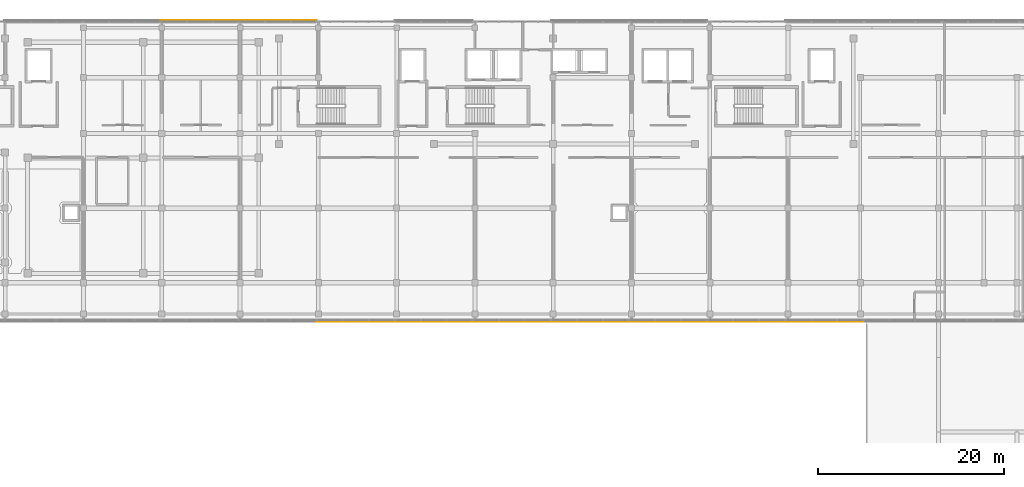
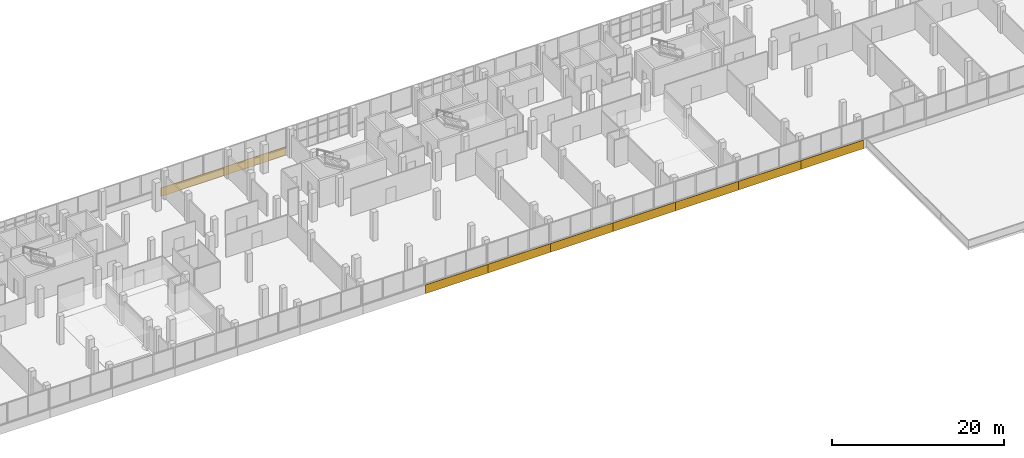
# One storey, part 74 of 76: 9 coverings.
"""IFC4 building model written with IfcOpenShell, lengths in metres."""

from ifc_helpers import new_model, si_unit, direction, frame, origin, origin_2d, place, context, subcontext, project, spatial, rectangle, extrude, material, layer, layer_set, type_object, element, save


model = new_model("IFC4")

# Units and contexts
model_context = context("Model", 3, precision=1e-05, world=origin(), true_north=direction((0.0, 1.0)))
body_context = subcontext(model_context, "Body", "Model", "MODEL_VIEW")
ifc_project = project(units=[si_unit("LENGTHUNIT", "METRE"), si_unit("AREAUNIT", "SQUARE_METRE"), si_unit("VOLUMEUNIT", "CUBIC_METRE"), si_unit("PLANEANGLEUNIT", "RADIAN"), si_unit("MASSUNIT", "GRAM", prefix="KILO")], contexts=[model_context])

# Site, building, storey
site_placement = place(None, origin())
site = spatial("IfcSite", under=ifc_project, at=site_placement, CompositionType="ELEMENT")
building_placement = place(site_placement, origin())
building = spatial("IfcBuilding", under=site, at=building_placement, Name="Selatvlak General Hospital", CompositionType="ELEMENT")
storey_placement = place(building_placement, frame((0.0, 0.0, 27.300048828125)))
storey = spatial("IfcBuildingStorey", under=building, at=storey_placement, Name="L06", CompositionType="ELEMENT", Elevation=27.300048828125)

# Coverings
ifc_material = material(Name="White Bauhaus fair-faced cladding panel")
ifc_layer = layer(ifc_material, 0.054931640625, Name="White Bauhaus fair-faced cladding panel")
ifc_layer_set = layer_set([ifc_layer], Name="White Bauhaus fair-faced cladding panel")
covering_type = type_object("IfcCoveringType", Name="COV-WHT1", PredefinedType="CLADDING", material=ifc_layer_set)
for number, where, z_axis, x_axis, name in (
    (1, (77.261962890625, 120.1640625, -0.2802734375), (0.0, 0.0, 1.0), (1.0, 0.0, 0.0), "L06 Bauhaus horizontal white spandrel band 0458"),
    (2, (85.64208984375, 120.1640625, -0.2802734375), (0.0, 0.0, 1.0), (1.0, 0.0, 0.0), "L06 Bauhaus horizontal white spandrel band 0459"),
    (3, (144.2939453125, 87.8359375, -0.2802734375), (0.0, 0.0, 1.0), (-1.0, 0.0, 0.0), "L06 Bauhaus horizontal white spandrel band 0478"),
    (4, (135.916015625, 87.8359375, -0.2802734375), (0.0, 0.0, 1.0), (-1.0, 0.0, 0.0), "L06 Bauhaus horizontal white spandrel band 0479"),
    (5, (127.535888671875, 87.8359375, -0.2802734375), (0.0, 0.0, 1.0), (-1.0, 0.0, 0.0), "L06 Bauhaus horizontal white spandrel band 0480"),
    (6, (119.156982421875, 87.8359375, -0.2802734375), (0.0, 0.0, 1.0), (-1.0, 0.0, 0.0), "L06 Bauhaus horizontal white spandrel band 0481"),
    (7, (110.779052734375, 87.8359375, -0.2802734375), (0.0, 0.0, 1.0), (-1.0, 0.0, 0.0), "L06 Bauhaus horizontal white spandrel band 0482"),
):
    element("IfcCovering", number, at=place(storey_placement, frame(where, z_axis=z_axis, x_axis=x_axis)), inside=storey, type_object=covering_type, Name=name, PredefinedType="CLADDING", context=body_context, shape_type="SweptSolid", body=[
        extrude(rectangle(XDim=8.37890625, YDim=0.054931640625, at=origin_2d()), origin(), (0.0, 0.0, 1.0), 1.219970703125),
    ])
covering_1_placement = place(storey_placement, frame((102.39990234375, 87.8359375, -0.2802734375), z_axis=(0.0, 0.0, 1.0), x_axis=(-0.999999992537, -0.000122173047, 0.0)))
element("IfcCovering", 8, at=covering_1_placement, inside=storey, type_object=covering_type, Name="L06 Bauhaus horizontal white spandrel band 0483", PredefinedType="CLADDING", context=body_context, shape_type="SweptSolid", body=[
    extrude(rectangle(XDim=8.3779296875, YDim=0.054931640625, at=origin_2d()), origin(), (0.0, 0.0, 1.0), 1.219970703125),
])
covering_2_placement = place(storey_placement, frame((94.02197265625, 87.8349609375, -0.2802734375), z_axis=(0.0, 0.0, 1.0), x_axis=(-1.0, 0.0, 0.0)))
element("IfcCovering", 9, at=covering_2_placement, inside=storey, type_object=covering_type, Name="L06 Bauhaus horizontal white spandrel band 0484", PredefinedType="CLADDING", context=body_context, shape_type="SweptSolid", body=[
    extrude(rectangle(XDim=8.37890625, YDim=0.054931640625, at=origin_2d()), origin(), (0.0, 0.0, 1.0), 1.219970703125),
])

save(model, "model.ifc")
